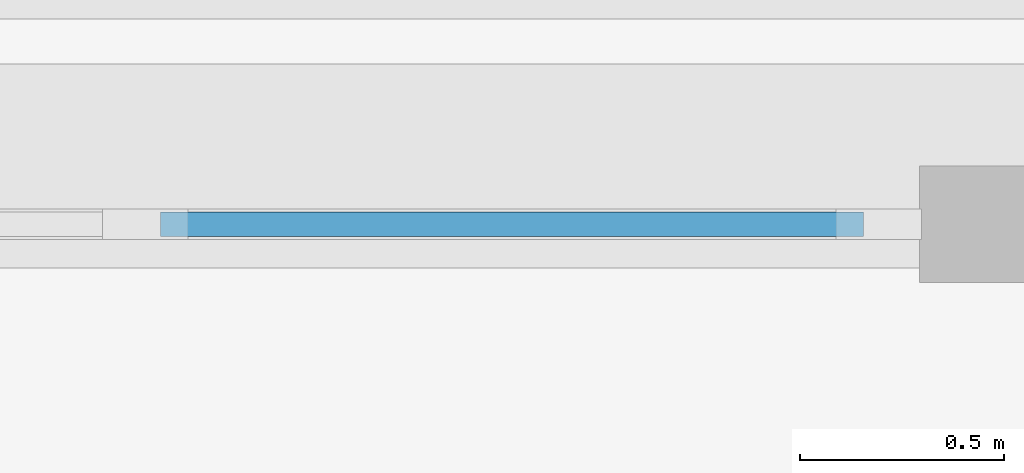
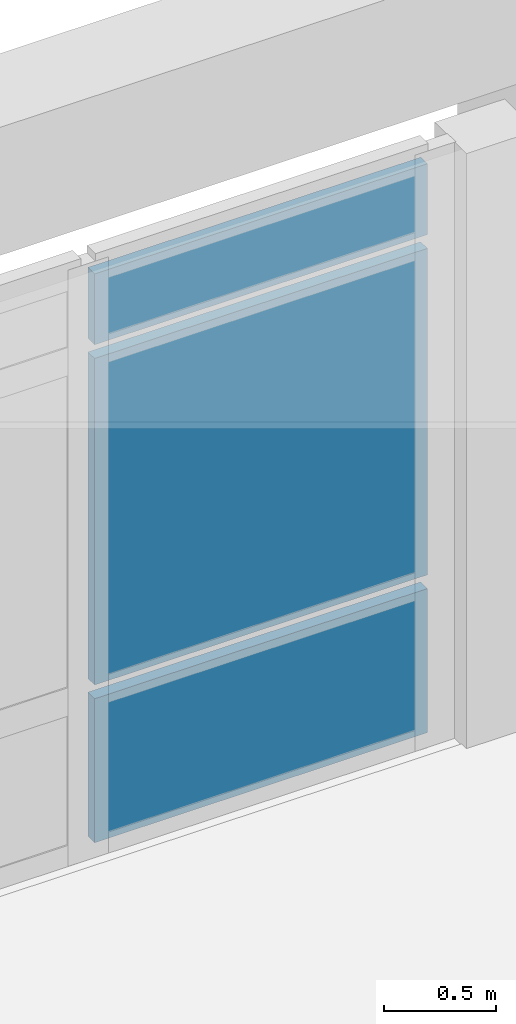
# One storey, part 47 of 69: 3 plates, 1 element without a shape of its own.
"""IFC4 building model written with IfcOpenShell, lengths in metres."""

from ifc_helpers import new_model, si_unit, direction, frame, origin, origin_2d, place, context, subcontext, project, spatial, rectangle, extrude, material, layer, layer_set, type_object, element, aggregate, save


model = new_model("IFC4")

# Units and contexts
model_context = context("Model", 3, precision=1e-05, world=origin(), true_north=direction((0.0, 1.0)))
body_context = subcontext(model_context, "Body", "Model", "MODEL_VIEW")
ifc_project = project(units=[si_unit("LENGTHUNIT", "METRE"), si_unit("AREAUNIT", "SQUARE_METRE"), si_unit("VOLUMEUNIT", "CUBIC_METRE"), si_unit("PLANEANGLEUNIT", "RADIAN"), si_unit("MASSUNIT", "GRAM", prefix="KILO")], contexts=[model_context])

# Site, building, storey
site_placement = place(None, origin())
site = spatial("IfcSite", under=ifc_project, at=site_placement, CompositionType="ELEMENT")
building_placement = place(site_placement, origin())
building = spatial("IfcBuilding", under=site, at=building_placement, Name="Solenvale Faculty of Natural Sciences", CompositionType="ELEMENT")
storey_placement = place(building_placement, frame((0.0, 0.0, 4.5)))
storey = spatial("IfcBuildingStorey", under=building, at=storey_placement, Name="L01", CompositionType="ELEMENT", Elevation=4.5)

# Curtain wall, plates
ifc_material = material(Name="Anodised bronze aluminium", Category="aluminium")
ifc_layer_1 = layer(ifc_material, 0.179931640625)
ifc_layer_set_1 = layer_set([ifc_layer_1], Name="Anodised bronze aluminium")
curtain_wall_type = type_object("IfcCurtainWallType", Name="CW-TWR-MOD", PredefinedType="USERDEFINED", material=ifc_layer_set_1)
curtain_wall_placement = place(storey_placement, origin())
curtain_wall = element("IfcCurtainWall", 1, at=curtain_wall_placement, inside=storey, type_object=curtain_wall_type, Name="L01 Curtain Wall CW-L01-P2-E4-B1", ObjectType="UNITISED CURTAIN WALL", PredefinedType="USERDEFINED")
ifc_layer_2 = layer(ifc_material, 0.06005859375)
ifc_layer_set_2 = layer_set([ifc_layer_2], Name="Anodised bronze aluminium")
plate_type = type_object("IfcPlateType", Name="CWP-PNL-60", PredefinedType="CURTAIN_PANEL", material=ifc_layer_set_2)
plate_1_placement = place(storey_placement, frame((149.41455078125, 115.0576171875, 0.074951171875), z_axis=(0.0, 0.0, 1.0), x_axis=(-1.0, 0.0, 0.0)))
plate_1 = element("IfcPlate", 2, at=plate_1_placement, type_object=plate_type, Name="CW-04 panel 1.1", PredefinedType="CURTAIN_PANEL", context=body_context, shape_type="SweptSolid", body=[
    extrude(rectangle(XDim=1.720947265625, YDim=0.06005859375, at=origin_2d()), origin(), (0.0, 0.0, 1.0), 0.78759765625),
])
plate_2_placement = place(storey_placement, frame((149.41455078125, 115.0576171875, 0.9375), z_axis=(0.0, 0.0, 1.0), x_axis=(-1.0, 0.0, 0.0)))
plate_2 = element("IfcPlate", 3, at=plate_2_placement, type_object=plate_type, Name="CW-04 panel 1.2", PredefinedType="CURTAIN_PANEL", context=body_context, shape_type="SweptSolid", body=[
    extrude(rectangle(XDim=1.720947265625, YDim=0.06005859375, at=origin_2d()), origin(), (0.0, 0.0, 1.0), 1.784912109375),
])
plate_3_placement = place(storey_placement, frame((149.41455078125, 115.0576171875, 2.79736328125), z_axis=(0.0, 0.0, 1.0), x_axis=(-1.0, 0.0, 0.0)))
plate_3 = element("IfcPlate", 4, at=plate_3_placement, type_object=plate_type, Name="CW-04 panel 1.3", PredefinedType="CURTAIN_PANEL", context=body_context, shape_type="SweptSolid", body=[
    extrude(rectangle(XDim=1.720947265625, YDim=0.06005859375, at=origin_2d()), origin(), (0.0, 0.0, 1.0), 0.387451171875),
])
aggregate(curtain_wall, [plate_1, plate_2, plate_3])

save(model, "model.ifc")
